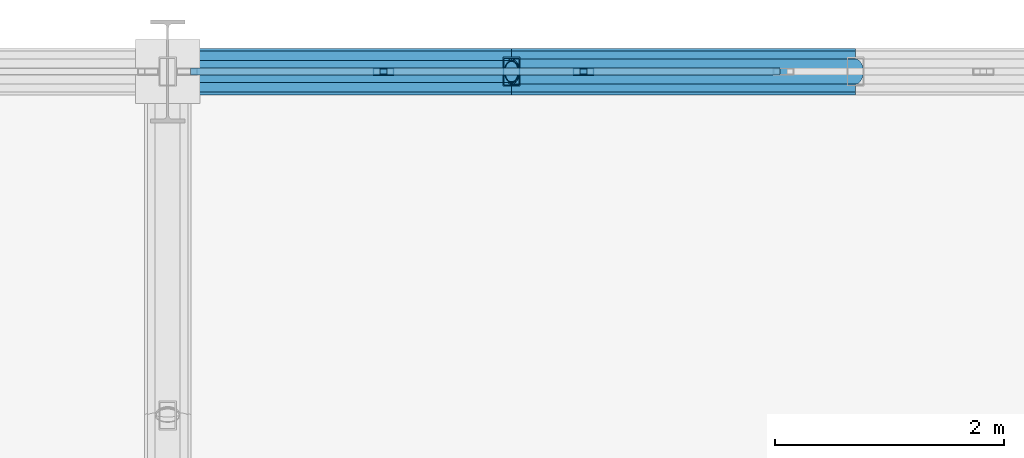
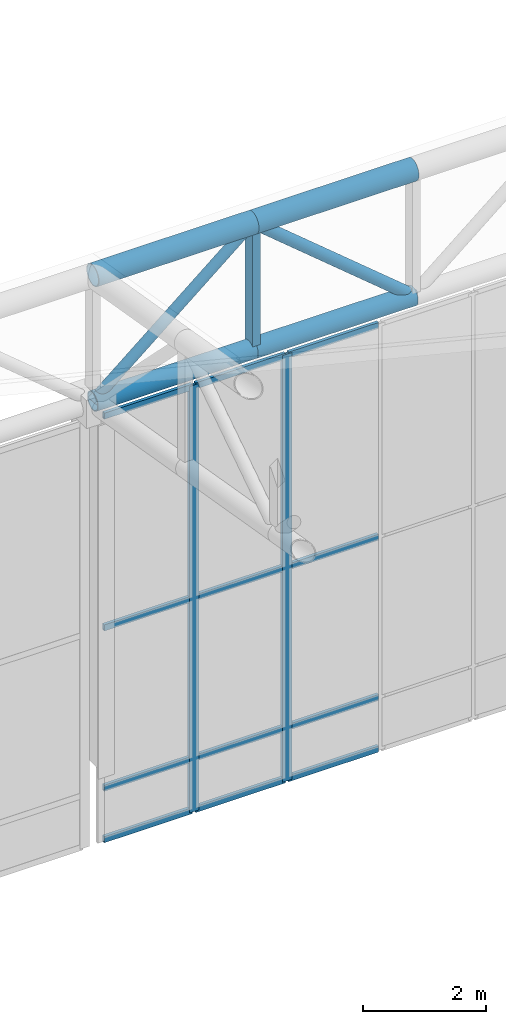
# One storey, part 127 of 239: 21 members, 1 element without a shape of its own.
"""IFC4 building model written with IfcOpenShell, lengths in metres."""

from ifc_helpers import new_model, si_unit, direction, frame, origin, origin_2d, place, context, subcontext, project, spatial, hollow_rectangle, hollow_circle, extrude, material, material_profile, profile_set, type_object, element, aggregate, save


model = new_model("IFC4")

# Units and contexts
model_context = context("Model", 3, precision=1e-05, world=origin(), true_north=direction((0.0, 1.0)))
body_context = subcontext(model_context, "Body", "Model", "MODEL_VIEW")
ifc_project = project(units=[si_unit("LENGTHUNIT", "METRE"), si_unit("AREAUNIT", "SQUARE_METRE"), si_unit("VOLUMEUNIT", "CUBIC_METRE"), si_unit("PLANEANGLEUNIT", "RADIAN"), si_unit("MASSUNIT", "GRAM", prefix="KILO")], contexts=[model_context])

# Site, building, storey
site_placement = place(None, origin())
site = spatial("IfcSite", under=ifc_project, at=site_placement, CompositionType="ELEMENT")
building_placement = place(site_placement, origin())
building = spatial("IfcBuilding", under=site, at=building_placement, Name="Kaldris Quays Convention Centre", CompositionType="ELEMENT")
storey_placement = place(building_placement, frame((0.0, 0.0, 11.39990234375)))
storey = spatial("IfcBuildingStorey", under=building, at=storey_placement, Name="L02", CompositionType="ELEMENT", Elevation=11.39990234375)

# Curtain wall, members
ifc_material_1 = material(Name="Anodized aluminium AW-6060 and triple glazing", Category="aluminium")
curtain_wall_type = type_object("IfcCurtainWallType", Name="UNITISED CURTAIN WALL CW03", PredefinedType="NOTDEFINED", material=ifc_material_1)
curtain_wall_placement = place(storey_placement, origin())
curtain_wall = element("IfcCurtainWall", 1, at=curtain_wall_placement, inside=storey, type_object=curtain_wall_type, Name="L02 Unitised Curtain Wall CW03 248", PredefinedType="NOTDEFINED")
ifc_material_2 = material(Name="Anodized aluminium AW-6060", Category="aluminium")
ifc_material_profile_1 = material_profile(ifc_material_2, hollow_rectangle(XDim=0.06005859375, YDim=0.179931640625, WallThickness=0.0048828125, at=origin_2d()), Name="RHS 180x60x5")
ifc_profile_set_1 = profile_set([ifc_material_profile_1], Name="Anodized aluminium AW-6060")
member_type_1 = type_object("IfcMemberType", Name="CURTAIN MULLION CWM2", PredefinedType="MULLION", material=ifc_profile_set_1)
member_1_placement = place(storey_placement, frame((111.884033203125, 140.0, -1.60498046875), z_axis=(0.0, 0.0, 1.0), x_axis=(0.0, 1.0, 0.0)))
member_1 = element("IfcMember", 2, at=member_1_placement, type_object=member_type_1, Name="CW03 mullion 2", PredefinedType="MULLION", context=body_context, shape_type="SweptSolid", body=[
    extrude(hollow_rectangle(XDim=0.06005859375, YDim=0.179931640625, WallThickness=0.0048828125, at=origin_2d()), origin(), (0.0, 0.0, 1.0), 8.455078125),
])
member_2_placement = place(storey_placement, frame((113.6279296875, 140.0, -1.60498046875), z_axis=(0.0, 0.0, 1.0), x_axis=(0.0, 1.0, 0.0)))
member_2 = element("IfcMember", 3, at=member_2_placement, type_object=member_type_1, Name="CW03 mullion 3", PredefinedType="MULLION", context=body_context, shape_type="SweptSolid", body=[
    extrude(hollow_rectangle(XDim=0.06005859375, YDim=0.179931640625, WallThickness=0.0048828125, at=origin_2d()), origin(), (0.0, 0.0, 1.0), 8.455078125),
])
ifc_material_profile_2 = material_profile(ifc_material_2, hollow_rectangle(XDim=0.06005859375, YDim=0.1201171875, WallThickness=0.00390625, at=origin_2d()), Name="RHS 120x60x4")
ifc_profile_set_2 = profile_set([ifc_material_profile_2], Name="Anodized aluminium AW-6060")
member_type_2 = type_object("IfcMemberType", Name="CURTAIN TRANSOM CWT1", PredefinedType="USERDEFINED", material=ifc_profile_set_2)
member_3_placement = place(storey_placement, frame((110.199951171875, 140.0, -1.574951171875), z_axis=(1.0, 0.0, 0.0), x_axis=(0.0, 1.0, 0.0)))
member_3 = element("IfcMember", 4, at=member_3_placement, type_object=member_type_2, Name="CW03 transom 1.1", ObjectType="TRANSOM", PredefinedType="USERDEFINED", context=body_context, shape_type="SweptSolid", body=[
    extrude(hollow_rectangle(XDim=0.06005859375, YDim=0.1201171875, WallThickness=0.00390625, at=origin_2d()), origin(), (0.0, 0.0, 1.0), 1.654052734375),
])
member_4_placement = place(storey_placement, frame((110.199951171875, 140.0, -0.554931640625), z_axis=(1.0, 0.0, 0.0), x_axis=(0.0, 1.0, 0.0)))
member_4 = element("IfcMember", 5, at=member_4_placement, type_object=member_type_2, Name="CW03 transom 1.2", ObjectType="TRANSOM", PredefinedType="USERDEFINED", context=body_context, shape_type="SweptSolid", body=[
    extrude(hollow_rectangle(XDim=0.06005859375, YDim=0.1201171875, WallThickness=0.00390625, at=origin_2d()), origin(), (0.0, 0.0, 1.0), 1.654052734375),
])
member_5_placement = place(storey_placement, frame((110.199951171875, 140.0, 2.623046875), z_axis=(1.0, 0.0, 0.0), x_axis=(0.0, 1.0, 0.0)))
member_5 = element("IfcMember", 6, at=member_5_placement, type_object=member_type_2, Name="CW03 transom 1.3", ObjectType="TRANSOM", PredefinedType="USERDEFINED", context=body_context, shape_type="SweptSolid", body=[
    extrude(hollow_rectangle(XDim=0.06005859375, YDim=0.1201171875, WallThickness=0.00390625, at=origin_2d()), origin(), (0.0, 0.0, 1.0), 1.654052734375),
])
member_6_placement = place(storey_placement, frame((110.199951171875, 140.0, 6.820068359375), z_axis=(1.0, 0.0, 0.0), x_axis=(0.0, 1.0, 0.0)))
member_6 = element("IfcMember", 7, at=member_6_placement, type_object=member_type_2, Name="CW03 transom 1.4", ObjectType="TRANSOM", PredefinedType="USERDEFINED", context=body_context, shape_type="SweptSolid", body=[
    extrude(hollow_rectangle(XDim=0.06005859375, YDim=0.1201171875, WallThickness=0.00390625, at=origin_2d()), origin(), (0.0, 0.0, 1.0), 1.654052734375),
])
member_7_placement = place(storey_placement, frame((111.9140625, 140.0, -1.574951171875), z_axis=(1.0, 0.0, 0.0), x_axis=(0.0, 1.0, 0.0)))
member_7 = element("IfcMember", 8, at=member_7_placement, type_object=member_type_2, Name="CW03 transom 2.1", ObjectType="TRANSOM", PredefinedType="USERDEFINED", context=body_context, shape_type="SweptSolid", body=[
    extrude(hollow_rectangle(XDim=0.06005859375, YDim=0.1201171875, WallThickness=0.00390625, at=origin_2d()), origin(), (0.0, 0.0, 1.0), 1.683837890625),
])
member_8_placement = place(storey_placement, frame((111.9140625, 140.0, -0.554931640625), z_axis=(1.0, 0.0, 0.0), x_axis=(0.0, 1.0, 0.0)))
member_8 = element("IfcMember", 9, at=member_8_placement, type_object=member_type_2, Name="CW03 transom 2.2", ObjectType="TRANSOM", PredefinedType="USERDEFINED", context=body_context, shape_type="SweptSolid", body=[
    extrude(hollow_rectangle(XDim=0.06005859375, YDim=0.1201171875, WallThickness=0.00390625, at=origin_2d()), origin(), (0.0, 0.0, 1.0), 1.683837890625),
])
member_9_placement = place(storey_placement, frame((111.9140625, 140.0, 2.623046875), z_axis=(1.0, 0.0, 0.0), x_axis=(0.0, 1.0, 0.0)))
member_9 = element("IfcMember", 10, at=member_9_placement, type_object=member_type_2, Name="CW03 transom 2.3", ObjectType="TRANSOM", PredefinedType="USERDEFINED", context=body_context, shape_type="SweptSolid", body=[
    extrude(hollow_rectangle(XDim=0.06005859375, YDim=0.1201171875, WallThickness=0.00390625, at=origin_2d()), origin(), (0.0, 0.0, 1.0), 1.683837890625),
])
member_10_placement = place(storey_placement, frame((111.9140625, 140.0, 6.820068359375), z_axis=(1.0, 0.0, 0.0), x_axis=(0.0, 1.0, 0.0)))
member_10 = element("IfcMember", 11, at=member_10_placement, type_object=member_type_2, Name="CW03 transom 2.4", ObjectType="TRANSOM", PredefinedType="USERDEFINED", context=body_context, shape_type="SweptSolid", body=[
    extrude(hollow_rectangle(XDim=0.06005859375, YDim=0.1201171875, WallThickness=0.00390625, at=origin_2d()), origin(), (0.0, 0.0, 1.0), 1.683837890625),
])
member_11_placement = place(storey_placement, frame((113.657958984375, 140.0, -1.574951171875), z_axis=(1.0, 0.0, 0.0), x_axis=(0.0, 1.0, 0.0)))
member_11 = element("IfcMember", 12, at=member_11_placement, type_object=member_type_2, Name="CW03 transom 3.1", ObjectType="TRANSOM", PredefinedType="USERDEFINED", context=body_context, shape_type="SweptSolid", body=[
    extrude(hollow_rectangle(XDim=0.06005859375, YDim=0.1201171875, WallThickness=0.00390625, at=origin_2d()), origin(), (0.0, 0.0, 1.0), 1.68408203125),
])
member_12_placement = place(storey_placement, frame((113.657958984375, 140.0, -0.554931640625), z_axis=(1.0, 0.0, 0.0), x_axis=(0.0, 1.0, 0.0)))
member_12 = element("IfcMember", 13, at=member_12_placement, type_object=member_type_2, Name="CW03 transom 3.2", ObjectType="TRANSOM", PredefinedType="USERDEFINED", context=body_context, shape_type="SweptSolid", body=[
    extrude(hollow_rectangle(XDim=0.06005859375, YDim=0.1201171875, WallThickness=0.00390625, at=origin_2d()), origin(), (0.0, 0.0, 1.0), 1.68408203125),
])
member_13_placement = place(storey_placement, frame((113.657958984375, 140.0, 2.623046875), z_axis=(1.0, 0.0, 0.0), x_axis=(0.0, 1.0, 0.0)))
member_13 = element("IfcMember", 14, at=member_13_placement, type_object=member_type_2, Name="CW03 transom 3.3", ObjectType="TRANSOM", PredefinedType="USERDEFINED", context=body_context, shape_type="SweptSolid", body=[
    extrude(hollow_rectangle(XDim=0.06005859375, YDim=0.1201171875, WallThickness=0.00390625, at=origin_2d()), origin(), (0.0, 0.0, 1.0), 1.68408203125),
])
member_14_placement = place(storey_placement, frame((113.657958984375, 140.0, 6.820068359375), z_axis=(1.0, 0.0, 0.0), x_axis=(0.0, 1.0, 0.0)))
member_14 = element("IfcMember", 15, at=member_14_placement, type_object=member_type_2, Name="CW03 transom 3.4", ObjectType="TRANSOM", PredefinedType="USERDEFINED", context=body_context, shape_type="SweptSolid", body=[
    extrude(hollow_rectangle(XDim=0.06005859375, YDim=0.1201171875, WallThickness=0.00390625, at=origin_2d()), origin(), (0.0, 0.0, 1.0), 1.68408203125),
])
aggregate(curtain_wall, [member_1, member_2, member_3, member_4, member_5, member_6, member_7, member_8, member_9, member_10, member_11, member_12, member_13, member_14])

# Members
ifc_material_3 = material(Name="Steel S355J2H", Category="steel")
ifc_material_profile_3 = material_profile(ifc_material_3, hollow_circle(Radius=0.203125, WallThickness=0.01611328125, at=origin_2d()), Name="CHS 406.4x16")
ifc_profile_set_3 = profile_set([ifc_material_profile_3], Name="Steel S355J2H")
member_type_3 = type_object("IfcMemberType", Name="STRUCTURAL MEMBER SC01", PredefinedType="CHORD", material=ifc_profile_set_3)
for number, where, z_axis, x_axis, name in (
    (16, (110.0, 140.0, 9.671875), (1.0, 0.0, 0.0), (0.0, 1.0, 0.0), "SF-V1 Top Chord X 325"),
    (17, (113.0, 140.0, 9.671875), (1.0, 0.0, 0.0), (0.0, 1.0, 0.0), "SF-V1 Top Chord X 326"),
):
    element("IfcMember", number, at=place(storey_placement, frame(where, z_axis=z_axis, x_axis=x_axis)), inside=storey, type_object=member_type_3, Name=name, PredefinedType="CHORD", context=body_context, shape_type="SweptSolid", body=[
        extrude(hollow_circle(Radius=0.203125, WallThickness=0.01611328125, at=origin_2d()), origin(), (0.0, 0.0, 1.0), 3.0),
    ])
ifc_material_profile_4 = material_profile(ifc_material_3, hollow_circle(Radius=0.177734375, WallThickness=0.01611328125, at=origin_2d()), Name="CHS 355.6x16")
ifc_profile_set_4 = profile_set([ifc_material_profile_4], Name="Steel S355J2H")
member_type_4 = type_object("IfcMemberType", Name="STRUCTURAL MEMBER SC02", PredefinedType="CHORD", material=ifc_profile_set_4)
for number, where, z_axis, x_axis, name in (
    (18, (110.0, 140.0, 7.171875), (1.0, 0.0, 0.0), (0.0, 1.0, 0.0), "SF-V1 Bottom Chord X 325"),
    (19, (113.0, 140.0, 7.171875), (1.0, 0.0, 0.0), (0.0, 1.0, 0.0), "SF-V1 Bottom Chord X 326"),
):
    element("IfcMember", number, at=place(storey_placement, frame(where, z_axis=z_axis, x_axis=x_axis)), inside=storey, type_object=member_type_4, Name=name, PredefinedType="CHORD", context=body_context, shape_type="SweptSolid", body=[
        extrude(hollow_circle(Radius=0.177734375, WallThickness=0.01611328125, at=origin_2d()), origin(), (0.0, 0.0, 1.0), 3.0),
    ])
ifc_material_profile_5 = material_profile(ifc_material_3, hollow_circle(Radius=0.109619140625, WallThickness=0.010009765625, at=origin_2d()), Name="CHS 219.1x10")
ifc_profile_set_5 = profile_set([ifc_material_profile_5], Name="Steel S355J2H")
member_type_5 = type_object("IfcMemberType", Name="STRUCTURAL MEMBER SWB1", PredefinedType="BRACE", material=ifc_profile_set_5)
member_15_placement = place(storey_placement, frame((116.0, 140.0, 7.171875), z_axis=(-0.768221279597, 0.0, 0.640184399664), x_axis=(0.0, -1.0, 0.0)))
element("IfcMember", 20, at=member_15_placement, inside=storey, type_object=member_type_5, Name="SF-V1 Web Diagonal X 326", PredefinedType="BRACE", context=body_context, shape_type="SweptSolid", body=[
    extrude(hollow_circle(Radius=0.109619140625, WallThickness=0.010009765625, at=origin_2d()), origin(), (0.0, 0.0, 1.0), 3.905029296875),
])
ifc_material_profile_6 = material_profile(ifc_material_3, hollow_circle(Radius=0.096923828125, WallThickness=0.008056640625, at=origin_2d()), Name="CHS 193.7x8")
ifc_profile_set_6 = profile_set([ifc_material_profile_6], Name="Steel S355J2H")
member_type_6 = type_object("IfcMemberType", Name="STRUCTURAL MEMBER SWB3", PredefinedType="BRACE", material=ifc_profile_set_6)
member_16_placement = place(storey_placement, frame((110.0, 140.0, 7.171875), z_axis=(0.768221279597, 0.0, 0.640184399664), x_axis=(0.0, 1.0, 0.0)))
element("IfcMember", 21, at=member_16_placement, inside=storey, type_object=member_type_6, Name="SF-V1 Web Diagonal X 325", PredefinedType="BRACE", context=body_context, shape_type="SweptSolid", body=[
    extrude(hollow_circle(Radius=0.096923828125, WallThickness=0.008056640625, at=origin_2d()), origin(), (0.0, 0.0, 1.0), 3.905029296875),
])
ifc_material_profile_7 = material_profile(ifc_material_3, hollow_rectangle(XDim=0.14990234375, YDim=0.25, WallThickness=0.010009765625, at=origin_2d()), Name="RHS 250x150x10")
ifc_profile_set_7 = profile_set([ifc_material_profile_7], Name="Steel S355J2H")
member_type_7 = type_object("IfcMemberType", Name="STRUCTURAL MEMBER TTV1", PredefinedType="POST", material=ifc_profile_set_7)
member_17_placement = place(storey_placement, frame((113.0, 140.0, 7.171875), z_axis=(0.0, 0.0, 1.0), x_axis=(1.0, 0.0, 0.0)))
element("IfcMember", 22, at=member_17_placement, inside=storey, type_object=member_type_7, Name="SF-V1 Space-Frame Post 382", PredefinedType="POST", context=body_context, shape_type="SweptSolid", body=[
    extrude(hollow_rectangle(XDim=0.14990234375, YDim=0.25, WallThickness=0.010009765625, at=origin_2d()), origin(), (0.0, 0.0, 1.0), 2.5),
])

save(model, "model.ifc")
